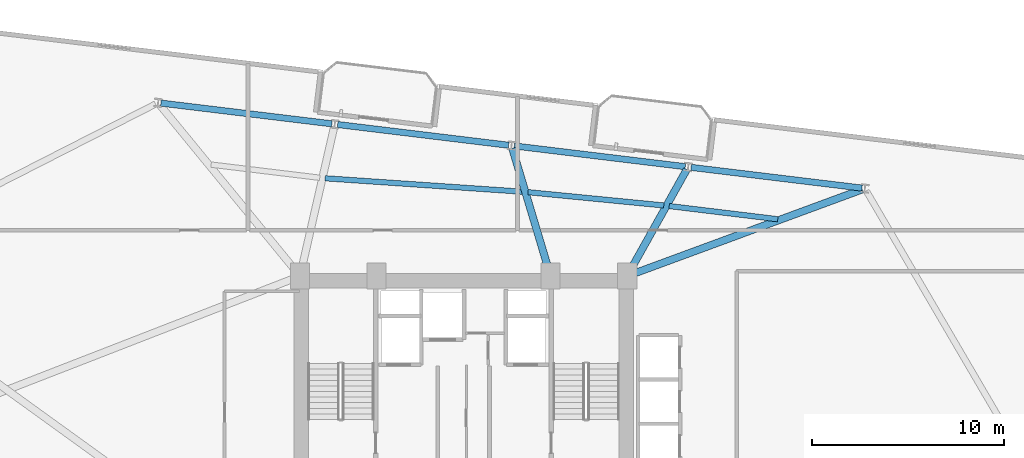
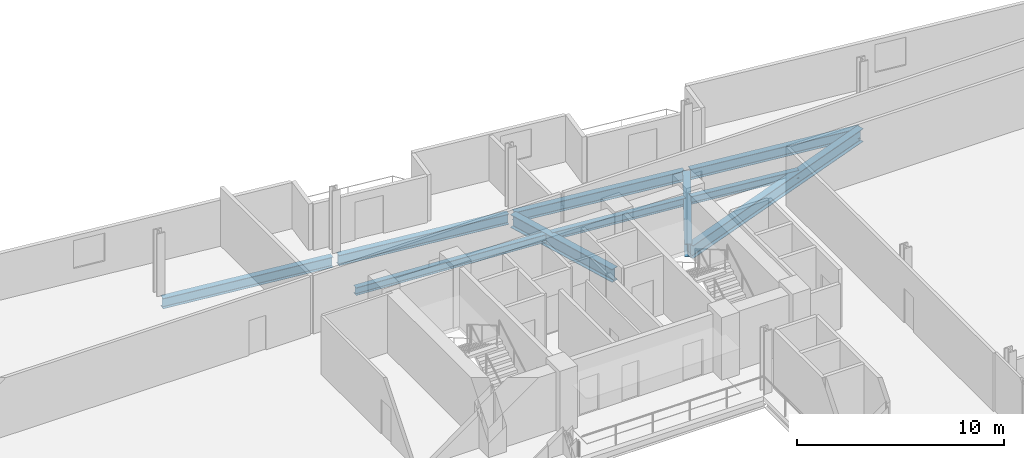
# One storey, part 13 of 25: 10 beams.
"""IFC4 building model written with IfcOpenShell, lengths in metres."""

from ifc_helpers import new_model, si_unit, direction, frame, origin, origin_2d, place, context, subcontext, project, spatial, i_section, extrude, material, material_profile, profile_set, type_object, element, save


model = new_model("IFC4")

# Units and contexts
model_context = context("Model", 3, precision=1e-05, world=origin(), true_north=direction((0.0, 1.0)))
body_context = subcontext(model_context, "Body", "Model", "MODEL_VIEW")
ifc_project = project(units=[si_unit("LENGTHUNIT", "METRE"), si_unit("AREAUNIT", "SQUARE_METRE"), si_unit("VOLUMEUNIT", "CUBIC_METRE"), si_unit("PLANEANGLEUNIT", "RADIAN"), si_unit("MASSUNIT", "GRAM", prefix="KILO")], contexts=[model_context])

# Site, building, storey
site_placement = place(None, origin())
site = spatial("IfcSite", under=ifc_project, at=site_placement, CompositionType="ELEMENT")
building_placement = place(site_placement, origin())
building = spatial("IfcBuilding", under=site, at=building_placement, Name="Varnelok Gate Tower", CompositionType="ELEMENT")
storey_placement = place(building_placement, frame((0.0, 0.0, 132.800048828125)))
storey = spatial("IfcBuildingStorey", under=building, at=storey_placement, Name="L33", CompositionType="ELEMENT", Elevation=132.800048828125)

# Beams
ifc_material = material(Name="Structural Steel ASTM A992 Grade 50", Category="steel")
ifc_material_profile_1 = material_profile(ifc_material, i_section(OverallWidth=0.280029296875, OverallDepth=0.462890625, WebThickness=0.0107421875, FlangeThickness=0.017333984375, FilletRadius=0.014892578125, at=origin_2d()), Name="W18X76")
ifc_profile_set_1 = profile_set([ifc_material_profile_1], Name="Structural Steel ASTM A992 Grade 50")
beam_type_1 = type_object("IfcBeamType", Name="BM-JST-W18X76", PredefinedType="JOIST", material=ifc_profile_set_1)
beam_1_placement = place(storey_placement, frame((55.529541015625, 42.003662109375, -0.4814453125), z_axis=(-0.992732072323, 0.12034547179, 0.0), x_axis=(-0.12034547179, -0.992732072323, 0.0)))
element("IfcBeam", 1, at=beam_1_placement, inside=storey, type_object=beam_type_1, Name="L33 Sector Floor Joist 7", PredefinedType="JOIST", context=body_context, shape_type="SweptSolid", body=[
    extrude(i_section(OverallWidth=0.280029296875, OverallDepth=0.462890625, WebThickness=0.0107421875, FlangeThickness=0.017333984375, FilletRadius=0.014892578125, at=origin_2d()), origin(), (0.0, 0.0, 1.0), 5.686279296875),
])
beam_2_placement = place(storey_placement, frame((49.606201171875, 42.718505859375, -0.4814453125), z_axis=(-0.995244965706, 0.097403584307, 0.0), x_axis=(-0.097403584307, -0.995244965706, 0.0)))
element("IfcBeam", 2, at=beam_2_placement, inside=storey, type_object=beam_type_1, Name="L33 Sector Floor Joist 8", PredefinedType="JOIST", context=body_context, shape_type="SweptSolid", body=[
    extrude(i_section(OverallWidth=0.280029296875, OverallDepth=0.462890625, WebThickness=0.0107421875, FlangeThickness=0.017333984375, FilletRadius=0.014892578125, at=origin_2d()), origin(), (0.0, 0.0, 1.0), 7.0908203125),
])
beam_3_placement = place(storey_placement, frame((42.27001953125, 43.432373046875, -0.4814453125), z_axis=(-0.997689983187, 0.067931564447, 0.0), x_axis=(-0.067931564447, -0.997689983187, 0.0)))
element("IfcBeam", 3, at=beam_3_placement, inside=storey, type_object=beam_type_1, Name="L33 Sector Floor Joist 9", PredefinedType="JOIST", context=body_context, shape_type="SweptSolid", body=[
    extrude(i_section(OverallWidth=0.280029296875, OverallDepth=0.462890625, WebThickness=0.0107421875, FlangeThickness=0.017333984375, FilletRadius=0.014892578125, at=origin_2d()), origin(), (0.0, 0.0, 1.0), 10.289306640625),
])
ifc_material_profile_2 = material_profile(ifc_material, i_section(OverallWidth=0.381103515625, OverallDepth=0.77294921875, WebThickness=0.0166015625, FlangeThickness=0.027099609375, FilletRadius=0.02197265625, at=origin_2d()), Name="W30X173")
ifc_profile_set_2 = profile_set([ifc_material_profile_2], Name="Structural Steel ASTM A992 Grade 50")
beam_type_2 = type_object("IfcBeamType", Name="BM-PRI-W30X173", PredefinedType="BEAM", material=ifc_profile_set_2)
beam_4_placement = place(storey_placement, frame((47.8408203125, 39.101806640625, -0.636474609375), z_axis=(0.938296458402, 0.345831976761, 0.0), x_axis=(-0.345831976761, 0.938296458402, 0.0)))
element("IfcBeam", 4, at=beam_4_placement, inside=storey, type_object=beam_type_2, Name="L33 Radial Floor Girder 9", PredefinedType="BEAM", context=body_context, shape_type="SweptSolid", body=[
    extrude(i_section(OverallWidth=0.381103515625, OverallDepth=0.77294921875, WebThickness=0.0166015625, FlangeThickness=0.027099609375, FilletRadius=0.02197265625, at=origin_2d()), origin(), (0.0, 0.0, 1.0), 12.86669921875),
])
beam_5_placement = place(storey_placement, frame((47.773193359375, 39.180908203125, -0.636474609375), z_axis=(0.48838490004, 0.872628322605, 0.0), x_axis=(-0.872628322605, 0.48838490004, 0.0)))
element("IfcBeam", 5, at=beam_5_placement, inside=storey, type_object=beam_type_2, Name="L33 Radial Floor Girder 10", PredefinedType="BEAM", context=body_context, shape_type="SweptSolid", body=[
    extrude(i_section(OverallWidth=0.381103515625, OverallDepth=0.77294921875, WebThickness=0.0166015625, FlangeThickness=0.027099609375, FilletRadius=0.02197265625, at=origin_2d()), origin(), (0.0, 0.0, 1.0), 6.193603515625),
])
beam_6_placement = place(storey_placement, frame((43.677001953125, 39.193603515625, -0.636474609375), z_axis=(-0.28702069947, 0.957924380145, 0.0), x_axis=(-0.957924380145, -0.28702069947, 0.0)))
element("IfcBeam", 6, at=beam_6_placement, inside=storey, type_object=beam_type_2, Name="L33 Radial Floor Girder 11", PredefinedType="BEAM", context=body_context, shape_type="SweptSolid", body=[
    extrude(i_section(OverallWidth=0.381103515625, OverallDepth=0.77294921875, WebThickness=0.0166015625, FlangeThickness=0.027099609375, FilletRadius=0.02197265625, at=origin_2d()), origin(), (0.0, 0.0, 1.0), 6.777587890625),
])
ifc_material_profile_3 = material_profile(ifc_material, i_section(OverallWidth=0.323974609375, OverallDepth=0.611083984375, WebThickness=0.0126953125, FlangeThickness=0.01904296875, FilletRadius=0.01806640625, at=origin_2d()), Name="W24X104")
ifc_profile_set_3 = profile_set([ifc_material_profile_3], Name="Structural Steel ASTM A992 Grade 50")
beam_type_3 = type_object("IfcBeamType", Name="BM-SPN-W24X104", PredefinedType="SPANDREL", material=ifc_profile_set_3)
for number, where, z_axis, x_axis, name in (
    (7, (59.905517578125, 43.621337890625, -0.5556640625), (-0.99273141198, 0.120350918849, 0.0), (-0.120350918849, -0.99273141198, 0.0), "L33 Perimeter Spandrel Beam 9"),
    (8, (50.72265625, 44.734619140625, -0.5556640625), (-0.992734670707, 0.120324035735, 0.0), (-0.120324035735, -0.992734670707, 0.0), "L33 Perimeter Spandrel Beam 10"),
    (9, (41.539794921875, 45.847900390625, -0.5556640625), (-0.992734670707, 0.120324035735, 0.0), (-0.120324035735, -0.992734670707, 0.0), "L33 Perimeter Spandrel Beam 11"),
    (10, (32.357177734375, 46.9609375, -0.5556640625), (-0.99273141198, 0.120350918849, 0.0), (-0.120350918849, -0.99273141198, 0.0), "L33 Perimeter Spandrel Beam 12"),
):
    element("IfcBeam", number, at=place(storey_placement, frame(where, z_axis=z_axis, x_axis=x_axis)), inside=storey, type_object=beam_type_3, Name=name, PredefinedType="SPANDREL", context=body_context, shape_type="SweptSolid", body=[
        extrude(i_section(OverallWidth=0.323974609375, OverallDepth=0.611083984375, WebThickness=0.0126953125, FlangeThickness=0.01904296875, FilletRadius=0.01806640625, at=origin_2d()), origin(), (0.0, 0.0, 1.0), 8.949951171875),
    ])

save(model, "model.ifc")
